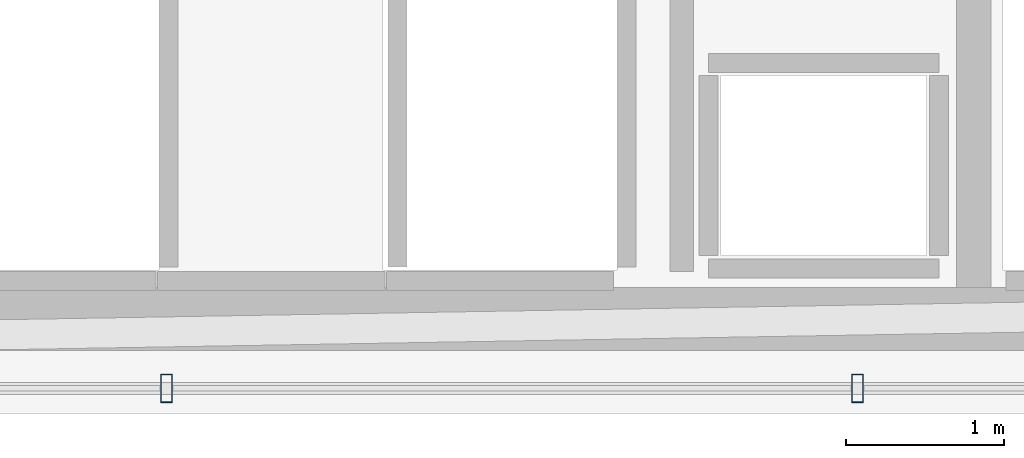
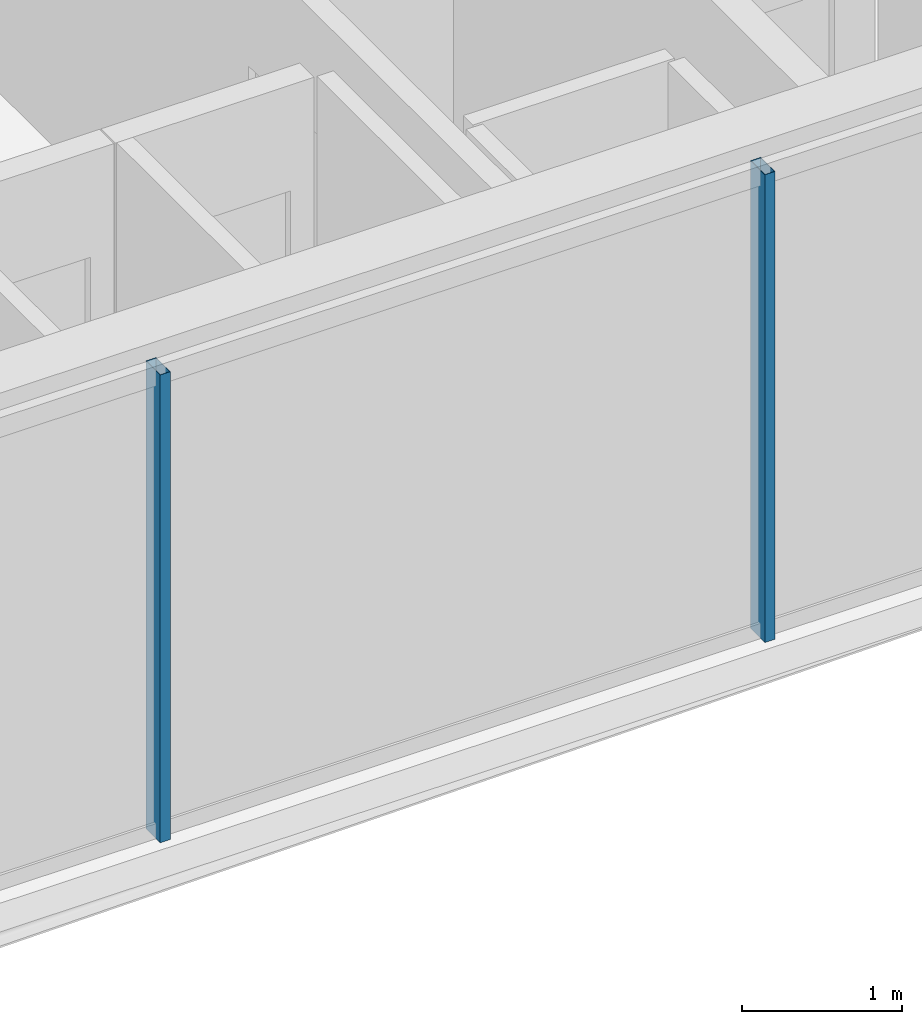
# One storey, part 8 of 29: 2 members, 1 element without a shape of its own.
"""IFC4 building model written with IfcOpenShell, lengths in metres."""

import ifcopenshell
import ifcopenshell.guid

model = None  # the IFC model being written
_history = None  # IfcOwnerHistory: only IFC2X3 demands one
_inside = {}  # id of a spatial element -> (the spatial element, [elements in it])
_under = {}  # id of a project, library or spatial element -> (it, [spatial elements below it])
_declared = {}  # id of a project -> (the project, [libraries it declares])
_typed = {}  # id of a type object -> (the type object, [elements of that type])
_made_of = {}  # id of a material, layer set ... -> (it, [elements and type objects made of it])


def new_model(schema):
    """Start an empty IFC model of exactly this schema.

    Asked for "IFC4X3", IfcOpenShell would pick the latest addendum, in which some entities
    have other attributes; the version numbers below select the first issue.
    IFC2X3 requires an IfcOwnerHistory on every rooted entity: one is made here for all.
    """
    global model, _history
    if schema == "IFC4X3":
        model = ifcopenshell.file(schema_version=(4, 3, 0, 0))
    else:
        model = ifcopenshell.file(schema=schema)
    _inside.clear()
    _under.clear()
    _declared.clear()
    _typed.clear()
    _made_of.clear()
    _history = None
    if model.schema == "IFC2X3":
        org = make("IfcOrganization", Name="unknown")
        user = make(
            "IfcPersonAndOrganization",
            ThePerson=make("IfcPerson", FamilyName="unknown"),
            TheOrganization=org,
        )
        app = make(
            "IfcApplication",
            ApplicationDeveloper=org,
            Version="unknown",
            ApplicationFullName="unknown",
            ApplicationIdentifier="unknown",
        )
        _history = make(
            "IfcOwnerHistory",
            OwningUser=user,
            OwningApplication=app,
            ChangeAction="ADDED",
            CreationDate=0,
        )
    return model


def make(cls, **values):
    """One entity of the class cls with the attributes given. An attribute that is None is left unset."""
    return model.create_entity(
        cls, **{name: value for name, value in values.items() if value is not None}
    )


def rooted(cls, **values):
    """An entity with a GlobalId (a new one), such as an element, a storey or a relation."""
    return make(cls, GlobalId=ifcopenshell.guid.new(), OwnerHistory=_history, **values)


def si_unit(unit_type, name, prefix=None):
    """IfcSIUnit, for example si_unit("LENGTHUNIT", "METRE", prefix="MILLI")."""
    return make("IfcSIUnit", UnitType=unit_type, Prefix=prefix, Name=name)


def assignment(units):
    """IfcUnitAssignment: the units of a project."""
    return None if units is None else make("IfcUnitAssignment", Units=units)


def point(xyz):
    """IfcCartesianPoint."""
    return None if xyz is None else make("IfcCartesianPoint", Coordinates=xyz)


def direction(xyz):
    """IfcDirection."""
    return None if xyz is None else make("IfcDirection", DirectionRatios=xyz)


def frame(location, z_axis=None, x_axis=None):
    """IfcAxis2Placement3D, a coordinate frame: its origin and axes. An axis left out is left unset."""
    return make(
        "IfcAxis2Placement3D",
        Location=point(location),
        Axis=direction(z_axis),
        RefDirection=direction(x_axis),
    )


def frame_2d(location, x_axis=None):
    """IfcAxis2Placement2D, a coordinate frame in the plane: its origin and x axis."""
    return make(
        "IfcAxis2Placement2D", Location=point(location), RefDirection=direction(x_axis)
    )


def origin():
    """The frame at (0, 0, 0) with its axes left unset."""
    return frame((0.0, 0.0, 0.0))


def origin_2d():
    """The frame at (0, 0) in the plane with its x axis left unset."""
    return frame_2d((0.0, 0.0))


def place(relative_to, where):
    """IfcLocalPlacement: puts the frame where relative to a parent placement (None: the world)."""
    return make(
        "IfcLocalPlacement", PlacementRelTo=relative_to, RelativePlacement=where
    )


def context(
    kind, dimensions, precision=None, world=None, true_north=None, identifier=None
):
    """IfcGeometricRepresentationContext, for example the 3D "Model" context."""
    return make(
        "IfcGeometricRepresentationContext",
        ContextIdentifier=identifier,
        ContextType=kind,
        CoordinateSpaceDimension=dimensions,
        Precision=precision,
        WorldCoordinateSystem=world,
        TrueNorth=true_north,
    )


def subcontext(parent, identifier, kind, view, scale=None):
    """IfcGeometricRepresentationSubContext, for example "Body" below "Model"."""
    return make(
        "IfcGeometricRepresentationSubContext",
        ContextIdentifier=identifier,
        ContextType=kind,
        ParentContext=parent,
        TargetScale=scale,
        TargetView=view,
    )


def project(units=None, contexts=None):
    """IfcProject with its units and contexts."""
    return rooted(
        "IfcProject",
        Name="project",
        RepresentationContexts=contexts,
        UnitsInContext=assignment(units),
    )


def spatial(cls, under=None, at=None, **own):
    """A site, building, storey or space (cls), placed at a placement, below another one or the project."""
    s = rooted(cls, ObjectPlacement=at, **own)
    if under is not None:
        _under.setdefault(under.id(), (under, []))[1].append(s)
    return s


def profile(cls, at=None, kind="AREA", **sizes):
    """A parametric profile (cls). Its sizes go by their IFC names, for example OverallWidth=200.0."""
    return make(cls, ProfileType=kind, Position=at, **sizes)


def hollow_rectangle(**sizes):
    """IfcRectangleHollowProfileDef."""
    return profile("IfcRectangleHollowProfileDef", **sizes)


def extrude(swept, where, along, depth):
    """IfcExtrudedAreaSolid: the profile swept, set in the frame where, extruded along a direction by depth."""
    return make(
        "IfcExtrudedAreaSolid",
        SweptArea=swept,
        Position=where,
        ExtrudedDirection=direction(along),
        Depth=depth,
    )


def shape(context_of_items, identifier, shape_type, items):
    """IfcShapeRepresentation: the items that make up one representation, for example the "Body"."""
    return make(
        "IfcShapeRepresentation",
        ContextOfItems=context_of_items,
        RepresentationIdentifier=identifier,
        RepresentationType=shape_type,
        Items=items,
    )


def material(Name=None, Category=None):
    """IfcMaterial."""
    return make("IfcMaterial", Name=Name, Category=Category)


def layer(
    of_material, thickness, ventilated=None, Name=None, Category=None, Priority=None
):
    """IfcMaterialLayer: one layer of a wall or slab, of a material (None: an air gap)."""
    return make(
        "IfcMaterialLayer",
        Material=of_material,
        LayerThickness=thickness,
        IsVentilated=ventilated,
        Name=Name,
        Category=Category,
        Priority=Priority,
    )


def layer_set(layers, Name=None):
    """IfcMaterialLayerSet."""
    return make("IfcMaterialLayerSet", MaterialLayers=layers, LayerSetName=Name)


def material_profile(
    of_material, cross_section, Name=None, Category=None, Priority=None
):
    """IfcMaterialProfile: a cross section and its material."""
    return make(
        "IfcMaterialProfile",
        Name=Name,
        Material=of_material,
        Profile=cross_section,
        Priority=Priority,
        Category=Category,
    )


def profile_set(profiles, Name=None, composite=None):
    """IfcMaterialProfileSet."""
    return make(
        "IfcMaterialProfileSet",
        Name=Name,
        MaterialProfiles=profiles,
        CompositeProfile=composite,
    )


def made_of(thing, what):
    """Note that an element or type object is made of a material, layer set ...; save() writes the relation."""
    if what is not None:
        _made_of.setdefault(what.id(), (what, []))[1].append(thing)
    return thing


def type_object(cls, material=None, **own):
    """A type object (cls), such as IfcWallType, which elements share."""
    return made_of(rooted(cls, **own), material)


def element(
    cls,
    number,
    at=None,
    inside=None,
    cuts=None,
    type_object=None,
    material=None,
    context=None,
    identifier="Body",
    shape_type=None,
    held_by="IfcProductDefinitionShape",
    body=None,
    shapes=None,
    **own,
):
    """One element of the class cls, such as IfcWall. Its Tag is "e" and its number.

    at: its placement. inside: the storey or other place that contains it. cuts: it is an
    opening in that element (IfcRelVoidsElement). A single representation is given by context,
    identifier, shape_type and body (its items); several are given by shapes. held_by: the class
    of the entity that holds the representations. save() writes the other relations.
    """
    e = rooted(cls, Tag="e%d" % number, ObjectPlacement=at, **own)
    if body is not None:
        shapes = [shape(context, identifier, shape_type, body)]
    if shapes is not None:
        e.Representation = make(held_by, Representations=shapes)
    if inside is not None:
        _inside.setdefault(inside.id(), (inside, []))[1].append(e)
    if cuts is not None:
        rooted(
            "IfcRelVoidsElement", RelatingBuildingElement=cuts, RelatedOpeningElement=e
        )
    if type_object is not None:
        _typed.setdefault(type_object.id(), (type_object, []))[1].append(e)
    return made_of(e, material)


def aggregate(whole, parts):
    """IfcRelAggregates: a whole, such as a stair, and the parts it consists of."""
    return rooted("IfcRelAggregates", RelatingObject=whole, RelatedObjects=parts)


def save(model, path):
    """Write the relations noted so far, then the file.

    IfcRelAggregates (storeys below a building ...), IfcRelContainedInSpatialStructure (elements
    in a storey), IfcRelDefinesByType, IfcRelAssociatesMaterial and IfcRelDeclares: one each for
    every whole, place, type object, material and project.
    """
    for whole, parts in _under.values():
        aggregate(whole, parts)
    for where, things in _inside.values():
        rooted(
            "IfcRelContainedInSpatialStructure",
            RelatedElements=things,
            RelatingStructure=where,
        )
    for kind, things in _typed.values():
        rooted("IfcRelDefinesByType", RelatedObjects=things, RelatingType=kind)
    for what, things in _made_of.values():
        rooted("IfcRelAssociatesMaterial", RelatedObjects=things, RelatingMaterial=what)
    for by, libraries in _declared.values():
        rooted("IfcRelDeclares", RelatingContext=by, RelatedDefinitions=libraries)
    model.write(path)


model = new_model("IFC4")

# Units and contexts
model_context = context("Model", 3, precision=1e-05, world=origin(), true_north=direction((0.0, 1.0)))
body_context = subcontext(model_context, "Body", "Model", "MODEL_VIEW")
ifc_project = project(units=[si_unit("LENGTHUNIT", "METRE"), si_unit("AREAUNIT", "SQUARE_METRE"), si_unit("VOLUMEUNIT", "CUBIC_METRE"), si_unit("PLANEANGLEUNIT", "RADIAN"), si_unit("MASSUNIT", "GRAM", prefix="KILO")], contexts=[model_context])

# Site, building, storey
site_placement = place(None, origin())
site = spatial("IfcSite", under=ifc_project, at=site_placement, CompositionType="ELEMENT")
building_placement = place(site_placement, origin())
building = spatial("IfcBuilding", under=site, at=building_placement, Name="Ndaravel Arena Tower", CompositionType="ELEMENT")
storey_placement = place(building_placement, frame((0.0, 0.0, 240.800048828125)))
storey = spatial("IfcBuildingStorey", under=building, at=storey_placement, Name="L58", CompositionType="ELEMENT", Elevation=240.800048828125)

# Curtain wall, members
ifc_material_1 = material(Name="Aluminium", Category="aluminium")
ifc_layer = layer(ifc_material_1, 0.179931640625)
ifc_layer_set = layer_set([ifc_layer], Name="Aluminium")
curtain_wall_type = type_object("IfcCurtainWallType", Name="CW-SYS-03", PredefinedType="NOTDEFINED", material=ifc_layer_set)
curtain_wall_placement = place(storey_placement, origin())
curtain_wall = element("IfcCurtainWall", 1, at=curtain_wall_placement, inside=storey, type_object=curtain_wall_type, Name="L58 Faceted Crystal Curtain Wall CW-L58-E01", PredefinedType="NOTDEFINED")
ifc_material_2 = material(Name="Aluminium", Category="aluminium")
ifc_material_profile = material_profile(ifc_material_2, hollow_rectangle(XDim=0.074951171875, YDim=0.179931640625, WallThickness=0.00390625, at=origin_2d()), Name="CW MULLION 75x180x4")
ifc_profile_set = profile_set([ifc_material_profile], Name="Aluminium")
member_type = type_object("IfcMemberType", Name="MEM-CW-MUL180", PredefinedType="MULLION", material=ifc_profile_set)
member_1_placement = place(storey_placement, frame((44.18798828125, 5.159912109375, 0.0), z_axis=(0.0, 0.0, 1.0), x_axis=(1.0, 0.0, 0.0)))
member_1 = element("IfcMember", 2, at=member_1_placement, type_object=member_type, Name="CW-L58-E01 Mullion 05", PredefinedType="MULLION", context=body_context, shape_type="SweptSolid", body=[
    extrude(hollow_rectangle(XDim=0.074951171875, YDim=0.179931640625, WallThickness=0.00390625, at=origin_2d()), origin(), (0.0, 0.0, 1.0), 3.579833984375),
])
member_2_placement = place(storey_placement, frame((48.56396484375, 5.159912109375, 0.0), z_axis=(0.0, 0.0, 1.0), x_axis=(1.0, 0.0, 0.0)))
member_2 = element("IfcMember", 3, at=member_2_placement, type_object=member_type, Name="CW-L58-E01 Mullion 06", PredefinedType="MULLION", context=body_context, shape_type="SweptSolid", body=[
    extrude(hollow_rectangle(XDim=0.074951171875, YDim=0.179931640625, WallThickness=0.00390625, at=origin_2d()), origin(), (0.0, 0.0, 1.0), 3.579833984375),
])
aggregate(curtain_wall, [member_1, member_2])

save(model, "model.ifc")
